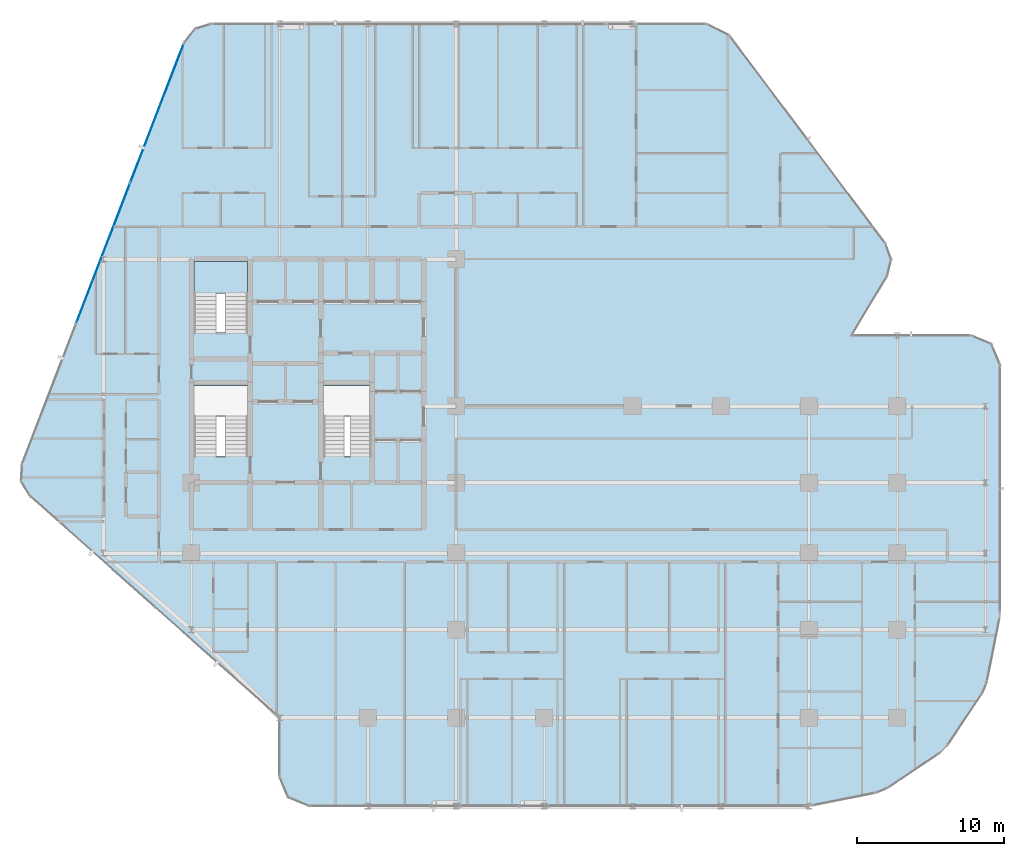
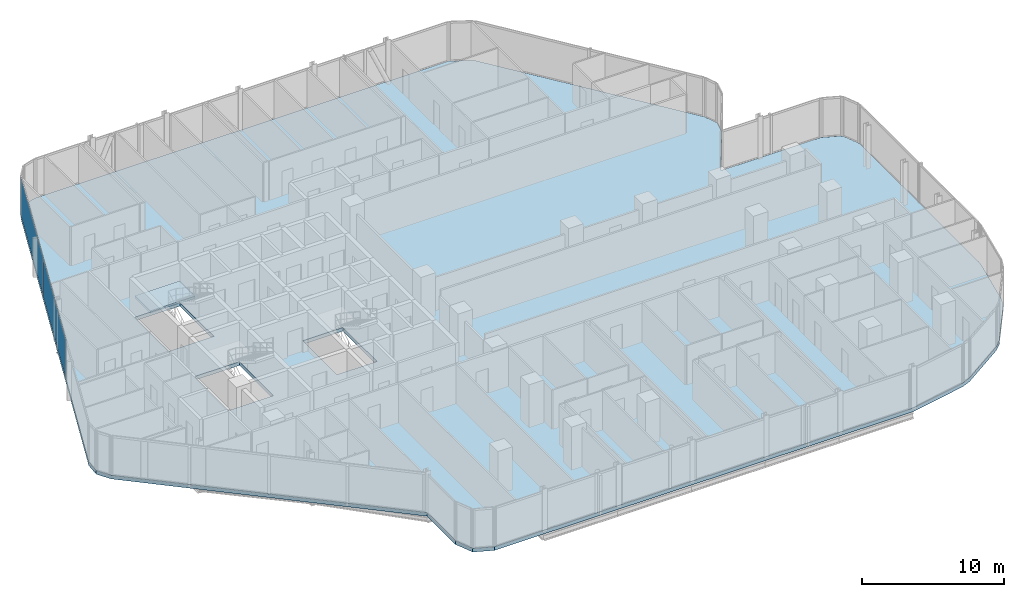
# One storey, part 23 of 34: 2 plates, 2 slabs, 2 elements without a shape of their own.
"""IFC4 building model written with IfcOpenShell, lengths in metres."""

from ifc_helpers import new_model, si_unit, direction, frame, origin, origin_2d, place, context, subcontext, project, spatial, polyline, rectangle, outline, extrude, material, layer, layer_set, type_object, element, aggregate, save


model = new_model("IFC4")

# Units and contexts
model_context = context("Model", 3, precision=1e-05, world=origin(), true_north=direction((0.0, 1.0)))
body_context = subcontext(model_context, "Body", "Model", "MODEL_VIEW")
ifc_project = project(units=[si_unit("LENGTHUNIT", "METRE"), si_unit("AREAUNIT", "SQUARE_METRE"), si_unit("VOLUMEUNIT", "CUBIC_METRE"), si_unit("PLANEANGLEUNIT", "RADIAN"), si_unit("MASSUNIT", "GRAM", prefix="KILO")], contexts=[model_context])

# Site, building, storey
site_placement = place(None, origin())
site = spatial("IfcSite", under=ifc_project, at=site_placement, CompositionType="ELEMENT")
building_placement = place(site_placement, origin())
building = spatial("IfcBuilding", under=site, at=building_placement, Name="Keshet Zoharim Tower", CompositionType="ELEMENT")
storey_placement = place(building_placement, frame((0.0, 0.0, 70.10009765625)))
storey = spatial("IfcBuildingStorey", under=building, at=storey_placement, Name="L16", CompositionType="ELEMENT", Elevation=70.10009765625)

# Curtain wall, plates
ifc_material_1 = material(Name="Aluminium 6063-T6", Category="aluminium")
ifc_layer_1 = layer(ifc_material_1, 0.179931640625)
ifc_layer_set_1 = layer_set([ifc_layer_1], Name="Aluminium 6063-T6")
curtain_wall_type = type_object("IfcCurtainWallType", Name="CW-SYS-01", PredefinedType="NOTDEFINED", material=ifc_layer_set_1)
curtain_wall_placement = place(storey_placement, origin())
curtain_wall = element("IfcCurtainWall", 1, at=curtain_wall_placement, inside=storey, type_object=curtain_wall_type, Name="L16 Unitised Curtain Wall 04", PredefinedType="NOTDEFINED")
ifc_material_2 = material(Name="Insulated Low-E Clear Glass", Category="glass")
ifc_layer_2 = layer(ifc_material_2, 0.035888671875)
ifc_layer_set_2 = layer_set([ifc_layer_2], Name="Insulated Low-E Clear Glass")
plate_type = type_object("IfcPlateType", Name="CWP-01", PredefinedType="CURTAIN_PANEL", material=ifc_layer_set_2)
plate_1_placement = place(storey_placement, frame((9.001953125, 38.305419921875, 0.06982421875), z_axis=(0.0, 0.0, 1.0), x_axis=(0.358990003907, 0.933341404361, 0.0)))
plate_1 = element("IfcPlate", 2, at=plate_1_placement, type_object=plate_type, Name="CW-01 panel 2.1", PredefinedType="CURTAIN_PANEL", context=body_context, shape_type="SweptSolid", body=[
    extrude(rectangle(XDim=10.153076171875, YDim=0.035888671875, at=origin_2d()), origin(), (0.0, 0.0, 1.0), 3.2451171875),
])
plate_2_placement = place(storey_placement, frame((12.665771484375, 47.830810546875, 0.06982421875), z_axis=(0.0, 0.0, 1.0), x_axis=(0.358990003907, 0.933341404361, 0.0)))
plate_2 = element("IfcPlate", 3, at=plate_2_placement, type_object=plate_type, Name="CW-01 panel 3.1", PredefinedType="CURTAIN_PANEL", context=body_context, shape_type="SweptSolid", body=[
    extrude(rectangle(XDim=10.1181640625, YDim=0.035888671875, at=origin_2d()), origin(), (0.0, 0.0, 1.0), 3.2451171875),
])
aggregate(curtain_wall, [plate_1, plate_2])

# Stair, slab
ifc_material_3 = material(Name="Concrete C50/60", Category="concrete")
stair_type = type_object("IfcStairType", Name="STR-EXIT-135", PredefinedType="HALF_TURN_STAIR", material=ifc_material_3)
stair_placement = place(storey_placement, origin())
stair = element("IfcStair", 4, at=stair_placement, inside=storey, type_object=stair_type, Name="L16 Enclosed Exit Stair ST-02", PredefinedType="HALF_TURN_STAIR")
ifc_layer_3 = layer(ifc_material_3, 0.199951171875)
ifc_layer_set_3 = layer_set([ifc_layer_3], Name="Concrete C50/60")
slab_type_1 = type_object("IfcSlabType", Name="SLB-LND-200", PredefinedType="LANDING", material=ifc_layer_set_3)
slab_1_placement = place(storey_placement, frame((0.0, 0.0, 1.64990234375)))
slab_1 = element("IfcSlab", 5, at=slab_1_placement, type_object=slab_type_1, Name="ST-02 landing 1", PredefinedType="LANDING", context=body_context, shape_type="SweptSolid", body=[
    extrude(outline(polyline([(15.179931640625, 35.56005859375), (18.820068359375, 35.56005859375), (18.820068359375, 37.719970703125), (15.179931640625, 37.719970703125), (15.179931640625, 35.56005859375)])), origin(), (0.0, 0.0, 1.0), 0.199951171875),
])
aggregate(stair, [slab_1])

# Slab
ifc_layer_4 = layer(ifc_material_3, 0.31494140625)
ifc_layer_set_4 = layer_set([ifc_layer_4], Name="Concrete C50/60")
slab_type_2 = type_object("IfcSlabType", Name="SLB-LOW-260", PredefinedType="FLOOR", material=ifc_layer_set_4)
slab_2_placement = place(storey_placement, frame((0.0, 0.0, -0.315185546875)))
element("IfcSlab", 6, at=slab_2_placement, inside=storey, type_object=slab_type_2, Name="L16 Structural Floor Slab 1", PredefinedType="FLOOR", context=body_context, shape_type="SweptSolid", body=[
    extrude(outline(polyline([(21.0, 6.699951171875), (4.034912109375, 21.780029296875), (3.419921875, 22.802001953125), (3.4970703125, 23.992919921875), (14.507080078125, 52.617919921875), (15.240966796875, 53.549072265625), (16.3740234375, 53.89990234375), (50.0, 53.89990234375), (51.60009765625, 53.10009765625), (62.193115234375, 38.97607421875), (62.590087890625, 37.87890625), (62.30810546875, 36.7470703125), (59.8798828125, 32.699951171875), (68.0, 32.699951171875), (69.4140625, 32.114013671875), (70.0, 30.699951171875), (70.0, 13.89697265625), (69.9619140625, 13.507080078125), (69.087890625, 9.114990234375), (68.7890625, 8.39404296875), (66.4130859375, 4.837890625), (65.862060546875, 4.287109375), (62.305908203125, 1.910888671875), (61.5849609375, 1.612060546875), (57.193115234375, 0.738037109375), (56.802978515625, 0.699951171875), (23.0, 0.699951171875), (21.5859375, 1.285888671875), (21.0, 2.699951171875), (21.0, 6.699951171875)]), holes=[polyline([(15.179931640625, 24.52001953125), (18.820068359375, 24.52001953125), (18.820068359375, 29.320068359375), (15.179931640625, 29.320068359375), (15.179931640625, 24.52001953125)]), polyline([(15.179931640625, 32.919921875), (18.820068359375, 32.919921875), (18.820068359375, 37.719970703125), (15.179931640625, 37.719970703125), (15.179931640625, 32.919921875)]), polyline([(23.97998046875, 24.52001953125), (27.219970703125, 24.52001953125), (27.219970703125, 29.320068359375), (23.97998046875, 29.320068359375), (23.97998046875, 24.52001953125)])]), origin(), (0.0, 0.0, 1.0), 0.315185546875),
])

save(model, "model.ifc")
